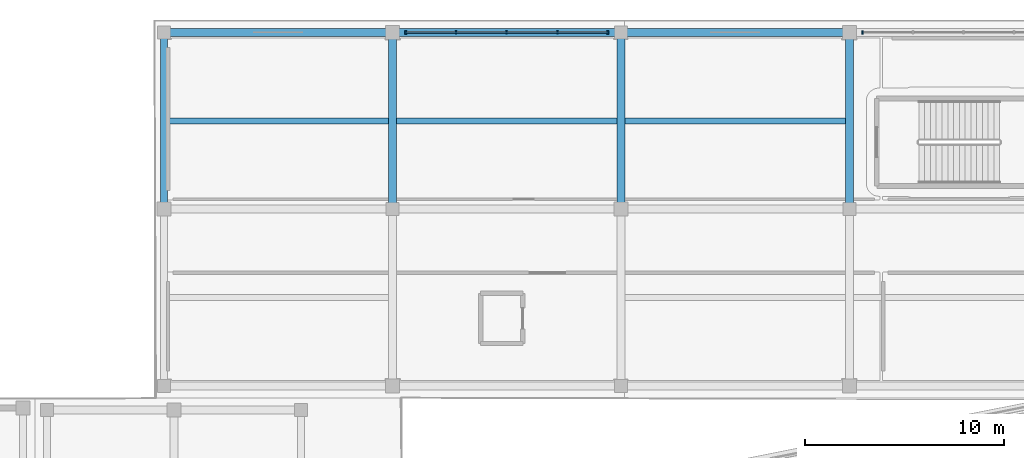
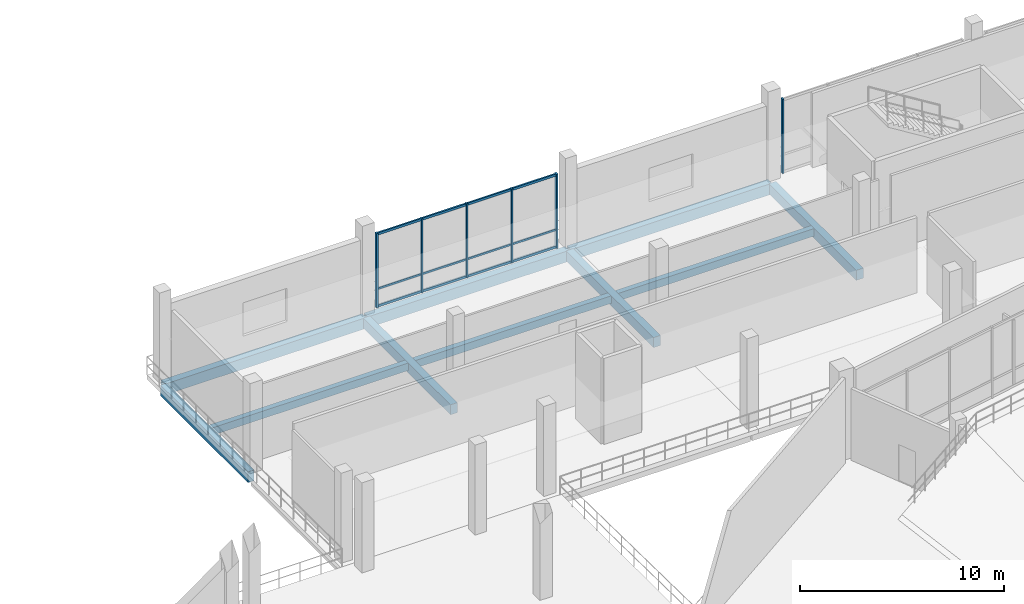
# One storey, part 49 of 127: 10 beams, 9 members, 2 elements without a shape of their own.
"""IFC4 building model written with IfcOpenShell, lengths in metres."""

import ifcopenshell
import ifcopenshell.guid

model = None  # the IFC model being written
_history = None  # IfcOwnerHistory: only IFC2X3 demands one
_inside = {}  # id of a spatial element -> (the spatial element, [elements in it])
_under = {}  # id of a project, library or spatial element -> (it, [spatial elements below it])
_declared = {}  # id of a project -> (the project, [libraries it declares])
_typed = {}  # id of a type object -> (the type object, [elements of that type])
_made_of = {}  # id of a material, layer set ... -> (it, [elements and type objects made of it])


def new_model(schema):
    """Start an empty IFC model of exactly this schema.

    Asked for "IFC4X3", IfcOpenShell would pick the latest addendum, in which some entities
    have other attributes; the version numbers below select the first issue.
    IFC2X3 requires an IfcOwnerHistory on every rooted entity: one is made here for all.
    """
    global model, _history
    if schema == "IFC4X3":
        model = ifcopenshell.file(schema_version=(4, 3, 0, 0))
    else:
        model = ifcopenshell.file(schema=schema)
    _inside.clear()
    _under.clear()
    _declared.clear()
    _typed.clear()
    _made_of.clear()
    _history = None
    if model.schema == "IFC2X3":
        org = make("IfcOrganization", Name="unknown")
        user = make(
            "IfcPersonAndOrganization",
            ThePerson=make("IfcPerson", FamilyName="unknown"),
            TheOrganization=org,
        )
        app = make(
            "IfcApplication",
            ApplicationDeveloper=org,
            Version="unknown",
            ApplicationFullName="unknown",
            ApplicationIdentifier="unknown",
        )
        _history = make(
            "IfcOwnerHistory",
            OwningUser=user,
            OwningApplication=app,
            ChangeAction="ADDED",
            CreationDate=0,
        )
    return model


def make(cls, **values):
    """One entity of the class cls with the attributes given. An attribute that is None is left unset."""
    return model.create_entity(
        cls, **{name: value for name, value in values.items() if value is not None}
    )


def rooted(cls, **values):
    """An entity with a GlobalId (a new one), such as an element, a storey or a relation."""
    return make(cls, GlobalId=ifcopenshell.guid.new(), OwnerHistory=_history, **values)


def si_unit(unit_type, name, prefix=None):
    """IfcSIUnit, for example si_unit("LENGTHUNIT", "METRE", prefix="MILLI")."""
    return make("IfcSIUnit", UnitType=unit_type, Prefix=prefix, Name=name)


def assignment(units):
    """IfcUnitAssignment: the units of a project."""
    return None if units is None else make("IfcUnitAssignment", Units=units)


def point(xyz):
    """IfcCartesianPoint."""
    return None if xyz is None else make("IfcCartesianPoint", Coordinates=xyz)


def direction(xyz):
    """IfcDirection."""
    return None if xyz is None else make("IfcDirection", DirectionRatios=xyz)


def frame(location, z_axis=None, x_axis=None):
    """IfcAxis2Placement3D, a coordinate frame: its origin and axes. An axis left out is left unset."""
    return make(
        "IfcAxis2Placement3D",
        Location=point(location),
        Axis=direction(z_axis),
        RefDirection=direction(x_axis),
    )


def frame_2d(location, x_axis=None):
    """IfcAxis2Placement2D, a coordinate frame in the plane: its origin and x axis."""
    return make(
        "IfcAxis2Placement2D", Location=point(location), RefDirection=direction(x_axis)
    )


def origin():
    """The frame at (0, 0, 0) with its axes left unset."""
    return frame((0.0, 0.0, 0.0))


def origin_2d():
    """The frame at (0, 0) in the plane with its x axis left unset."""
    return frame_2d((0.0, 0.0))


def place(relative_to, where):
    """IfcLocalPlacement: puts the frame where relative to a parent placement (None: the world)."""
    return make(
        "IfcLocalPlacement", PlacementRelTo=relative_to, RelativePlacement=where
    )


def context(
    kind, dimensions, precision=None, world=None, true_north=None, identifier=None
):
    """IfcGeometricRepresentationContext, for example the 3D "Model" context."""
    return make(
        "IfcGeometricRepresentationContext",
        ContextIdentifier=identifier,
        ContextType=kind,
        CoordinateSpaceDimension=dimensions,
        Precision=precision,
        WorldCoordinateSystem=world,
        TrueNorth=true_north,
    )


def subcontext(parent, identifier, kind, view, scale=None):
    """IfcGeometricRepresentationSubContext, for example "Body" below "Model"."""
    return make(
        "IfcGeometricRepresentationSubContext",
        ContextIdentifier=identifier,
        ContextType=kind,
        ParentContext=parent,
        TargetScale=scale,
        TargetView=view,
    )


def project(units=None, contexts=None):
    """IfcProject with its units and contexts."""
    return rooted(
        "IfcProject",
        Name="project",
        RepresentationContexts=contexts,
        UnitsInContext=assignment(units),
    )


def spatial(cls, under=None, at=None, **own):
    """A site, building, storey or space (cls), placed at a placement, below another one or the project."""
    s = rooted(cls, ObjectPlacement=at, **own)
    if under is not None:
        _under.setdefault(under.id(), (under, []))[1].append(s)
    return s


def profile(cls, at=None, kind="AREA", **sizes):
    """A parametric profile (cls). Its sizes go by their IFC names, for example OverallWidth=200.0."""
    return make(cls, ProfileType=kind, Position=at, **sizes)


def rectangle(**sizes):
    """IfcRectangleProfileDef."""
    return profile("IfcRectangleProfileDef", **sizes)


def extrude(swept, where, along, depth):
    """IfcExtrudedAreaSolid: the profile swept, set in the frame where, extruded along a direction by depth."""
    return make(
        "IfcExtrudedAreaSolid",
        SweptArea=swept,
        Position=where,
        ExtrudedDirection=direction(along),
        Depth=depth,
    )


def shape(context_of_items, identifier, shape_type, items):
    """IfcShapeRepresentation: the items that make up one representation, for example the "Body"."""
    return make(
        "IfcShapeRepresentation",
        ContextOfItems=context_of_items,
        RepresentationIdentifier=identifier,
        RepresentationType=shape_type,
        Items=items,
    )


def material(Name=None, Category=None):
    """IfcMaterial."""
    return make("IfcMaterial", Name=Name, Category=Category)


def material_profile(
    of_material, cross_section, Name=None, Category=None, Priority=None
):
    """IfcMaterialProfile: a cross section and its material."""
    return make(
        "IfcMaterialProfile",
        Name=Name,
        Material=of_material,
        Profile=cross_section,
        Priority=Priority,
        Category=Category,
    )


def profile_set(profiles, Name=None, composite=None):
    """IfcMaterialProfileSet."""
    return make(
        "IfcMaterialProfileSet",
        Name=Name,
        MaterialProfiles=profiles,
        CompositeProfile=composite,
    )


def made_of(thing, what):
    """Note that an element or type object is made of a material, layer set ...; save() writes the relation."""
    if what is not None:
        _made_of.setdefault(what.id(), (what, []))[1].append(thing)
    return thing


def type_object(cls, material=None, **own):
    """A type object (cls), such as IfcWallType, which elements share."""
    return made_of(rooted(cls, **own), material)


def element(
    cls,
    number,
    at=None,
    inside=None,
    cuts=None,
    type_object=None,
    material=None,
    context=None,
    identifier="Body",
    shape_type=None,
    held_by="IfcProductDefinitionShape",
    body=None,
    shapes=None,
    **own,
):
    """One element of the class cls, such as IfcWall. Its Tag is "e" and its number.

    at: its placement. inside: the storey or other place that contains it. cuts: it is an
    opening in that element (IfcRelVoidsElement). A single representation is given by context,
    identifier, shape_type and body (its items); several are given by shapes. held_by: the class
    of the entity that holds the representations. save() writes the other relations.
    """
    e = rooted(cls, Tag="e%d" % number, ObjectPlacement=at, **own)
    if body is not None:
        shapes = [shape(context, identifier, shape_type, body)]
    if shapes is not None:
        e.Representation = make(held_by, Representations=shapes)
    if inside is not None:
        _inside.setdefault(inside.id(), (inside, []))[1].append(e)
    if cuts is not None:
        rooted(
            "IfcRelVoidsElement", RelatingBuildingElement=cuts, RelatedOpeningElement=e
        )
    if type_object is not None:
        _typed.setdefault(type_object.id(), (type_object, []))[1].append(e)
    return made_of(e, material)


def aggregate(whole, parts):
    """IfcRelAggregates: a whole, such as a stair, and the parts it consists of."""
    return rooted("IfcRelAggregates", RelatingObject=whole, RelatedObjects=parts)


def save(model, path):
    """Write the relations noted so far, then the file.

    IfcRelAggregates (storeys below a building ...), IfcRelContainedInSpatialStructure (elements
    in a storey), IfcRelDefinesByType, IfcRelAssociatesMaterial and IfcRelDeclares: one each for
    every whole, place, type object, material and project.
    """
    for whole, parts in _under.values():
        aggregate(whole, parts)
    for where, things in _inside.values():
        rooted(
            "IfcRelContainedInSpatialStructure",
            RelatedElements=things,
            RelatingStructure=where,
        )
    for kind, things in _typed.values():
        rooted("IfcRelDefinesByType", RelatedObjects=things, RelatingType=kind)
    for what, things in _made_of.values():
        rooted("IfcRelAssociatesMaterial", RelatedObjects=things, RelatingMaterial=what)
    for by, libraries in _declared.values():
        rooted("IfcRelDeclares", RelatingContext=by, RelatedDefinitions=libraries)
    model.write(path)


model = new_model("IFC4")

# Units and contexts
model_context = context("Model", 3, precision=1e-05, world=origin(), true_north=direction((0.0, 1.0)))
body_context = subcontext(model_context, "Body", "Model", "MODEL_VIEW")
ifc_project = project(units=[si_unit("LENGTHUNIT", "METRE"), si_unit("AREAUNIT", "SQUARE_METRE"), si_unit("VOLUMEUNIT", "CUBIC_METRE"), si_unit("PLANEANGLEUNIT", "RADIAN"), si_unit("MASSUNIT", "GRAM", prefix="KILO")], contexts=[model_context])

# Site, building, storey
site_placement = place(None, origin())
site = spatial("IfcSite", under=ifc_project, at=site_placement, CompositionType="ELEMENT")
building_placement = place(site_placement, origin())
building = spatial("IfcBuilding", under=site, at=building_placement, Name="Candeia Ridge Stadium", CompositionType="ELEMENT")
storey_placement = place(building_placement, frame((0.0, 0.0, 10.800048828125)))
storey = spatial("IfcBuildingStorey", under=building, at=storey_placement, Name="L02", CompositionType="ELEMENT", Elevation=10.800048828125)

# Curtain wall, members
ifc_material_1 = material(Name="Aluminium Anodized Warm Bronze", Category="aluminium")
curtain_wall_type = type_object("IfcCurtainWallType", Name="Museum & Boulevard Showcase Curtain Wall", PredefinedType="NOTDEFINED", material=ifc_material_1)
curtain_wall_1_placement = place(storey_placement, origin())
curtain_wall_1 = element("IfcCurtainWall", 1, at=curtain_wall_1_placement, inside=storey, type_object=curtain_wall_type, Name="Unitised curtain wall CW-WNG-L02-149", PredefinedType="NOTDEFINED")
ifc_material_profile_1 = material_profile(ifc_material_1, rectangle(XDim=0.090087890625, YDim=0.179931640625, at=origin_2d()), Name="CWM-90x180", Category="aluminium")
ifc_profile_set_1 = profile_set([ifc_material_profile_1], Name="Aluminium Anodized Warm Bronze")
member_type_1 = type_object("IfcMemberType", Name="Curtain Wall Primary Mullion 90x180", PredefinedType="MULLION", material=ifc_profile_set_1)
member_1_placement = place(storey_placement, frame((37.659912109375, 165.39990234375, 0.0), z_axis=(0.0, 0.0, 1.0), x_axis=(1.0, 0.0, 0.0)))
member_1 = element("IfcMember", 2, at=member_1_placement, type_object=member_type_1, Name="Curtain wall mullion CW-WNG-L02-149-M0", PredefinedType="MULLION", context=body_context, shape_type="SweptSolid", body=[
    extrude(rectangle(XDim=0.090087890625, YDim=0.179931640625, at=origin_2d()), origin(), (0.0, 0.0, 1.0), 4.454833984375),
])
member_2_placement = place(storey_placement, frame((47.840087890625, 165.39990234375, 0.0), z_axis=(0.0, 0.0, 1.0), x_axis=(1.0, 0.0, 0.0)))
member_2 = element("IfcMember", 3, at=member_2_placement, type_object=member_type_1, Name="Curtain wall mullion CW-WNG-L02-149-M4", PredefinedType="MULLION", context=body_context, shape_type="SweptSolid", body=[
    extrude(rectangle(XDim=0.090087890625, YDim=0.179931640625, at=origin_2d()), origin(), (0.0, 0.0, 1.0), 4.454833984375),
])

# Curtain wall, member
curtain_wall_2_placement = place(storey_placement, origin())
curtain_wall_2 = element("IfcCurtainWall", 4, at=curtain_wall_2_placement, inside=storey, type_object=curtain_wall_type, Name="Unitised curtain wall CW-WNG-L02-150", PredefinedType="NOTDEFINED")
member_3_placement = place(storey_placement, frame((60.659912109375, 165.39990234375, 0.0), z_axis=(0.0, 0.0, 1.0), x_axis=(1.0, 0.0, 0.0)))
member_3 = element("IfcMember", 5, at=member_3_placement, type_object=member_type_1, Name="Curtain wall mullion CW-WNG-L02-150-M0", PredefinedType="MULLION", context=body_context, shape_type="SweptSolid", body=[
    extrude(rectangle(XDim=0.090087890625, YDim=0.179931640625, at=origin_2d()), origin(), (0.0, 0.0, 1.0), 4.454833984375),
])
aggregate(curtain_wall_2, [member_3])

# Member
ifc_material_profile_2 = material_profile(ifc_material_1, rectangle(XDim=0.074951171875, YDim=0.14990234375, at=origin_2d()), Name="CWM-75x150", Category="aluminium")
ifc_profile_set_2 = profile_set([ifc_material_profile_2], Name="Aluminium Anodized Warm Bronze")
member_type_2 = type_object("IfcMemberType", Name="Curtain Wall Secondary Mullion 75x150", PredefinedType="MULLION", material=ifc_profile_set_2)
member_4_placement = place(storey_placement, frame((40.205078125, 165.39990234375, 0.0), z_axis=(0.0, 0.0, 1.0), x_axis=(1.0, 0.0, 0.0)))
member_4 = element("IfcMember", 6, at=member_4_placement, type_object=member_type_2, Name="Curtain wall mullion CW-WNG-L02-149-M1", PredefinedType="MULLION", context=body_context, shape_type="SweptSolid", body=[
    extrude(rectangle(XDim=0.074951171875, YDim=0.14990234375, at=origin_2d()), origin(), (0.0, 0.0, 1.0), 4.454833984375),
])

member_5_placement = place(storey_placement, frame((42.75, 165.39990234375, 0.0), z_axis=(0.0, 0.0, 1.0), x_axis=(1.0, 0.0, 0.0)))
member_5 = element("IfcMember", 7, at=member_5_placement, type_object=member_type_2, Name="Curtain wall mullion CW-WNG-L02-149-M2", PredefinedType="MULLION", context=body_context, shape_type="SweptSolid", body=[
    extrude(rectangle(XDim=0.074951171875, YDim=0.14990234375, at=origin_2d()), origin(), (0.0, 0.0, 1.0), 4.454833984375),
])

member_6_placement = place(storey_placement, frame((45.294921875, 165.39990234375, 0.0), z_axis=(0.0, 0.0, 1.0), x_axis=(1.0, 0.0, 0.0)))
member_6 = element("IfcMember", 8, at=member_6_placement, type_object=member_type_2, Name="Curtain wall mullion CW-WNG-L02-149-M3", PredefinedType="MULLION", context=body_context, shape_type="SweptSolid", body=[
    extrude(rectangle(XDim=0.074951171875, YDim=0.14990234375, at=origin_2d()), origin(), (0.0, 0.0, 1.0), 4.454833984375),
])

ifc_material_profile_3 = material_profile(ifc_material_1, rectangle(XDim=0.074951171875, YDim=0.110107421875, at=origin_2d()), Name="CWT-75x110", Category="aluminium")
ifc_profile_set_3 = profile_set([ifc_material_profile_3], Name="Aluminium Anodized Warm Bronze")
member_type_3 = type_object("IfcMemberType", Name="Curtain Wall Secondary Transom 75x110", PredefinedType="USERDEFINED", material=ifc_profile_set_3)
member_7_placement = place(storey_placement, frame((37.659912109375, 165.39990234375, 1.099853515625), z_axis=(1.0, 0.0, 0.0), x_axis=(0.0, 1.0, 0.0)))
member_7 = element("IfcMember", 9, at=member_7_placement, type_object=member_type_3, Name="Curtain wall transom CW-WNG-L02-149-T1", ObjectType="TRANSOM", PredefinedType="USERDEFINED", context=body_context, shape_type="SweptSolid", body=[
    extrude(rectangle(XDim=0.074951171875, YDim=0.110107421875, at=origin_2d()), origin(), (0.0, 0.0, 1.0), 10.18017578125),
])

ifc_material_profile_4 = material_profile(ifc_material_1, rectangle(XDim=0.090087890625, YDim=0.139892578125, at=origin_2d()), Name="CWT-90x140", Category="aluminium")
ifc_profile_set_4 = profile_set([ifc_material_profile_4], Name="Aluminium Anodized Warm Bronze")
member_type_4 = type_object("IfcMemberType", Name="Curtain Wall Transom 90x140", PredefinedType="USERDEFINED", material=ifc_profile_set_4)
member_8_placement = place(storey_placement, frame((37.659912109375, 165.39990234375, 0.070068359375), z_axis=(1.0, 0.0, 0.0), x_axis=(0.0, 1.0, 0.0)))
member_8 = element("IfcMember", 10, at=member_8_placement, type_object=member_type_4, Name="Curtain wall transom CW-WNG-L02-149-T0", ObjectType="TRANSOM", PredefinedType="USERDEFINED", context=body_context, shape_type="SweptSolid", body=[
    extrude(rectangle(XDim=0.090087890625, YDim=0.139892578125, at=origin_2d()), origin(), (0.0, 0.0, 1.0), 10.18017578125),
])

member_9_placement = place(storey_placement, frame((37.659912109375, 165.39990234375, 4.385009765625), z_axis=(1.0, 0.0, 0.0), x_axis=(0.0, 1.0, 0.0)))
member_9 = element("IfcMember", 11, at=member_9_placement, type_object=member_type_4, Name="Curtain wall transom CW-WNG-L02-149-T2", ObjectType="TRANSOM", PredefinedType="USERDEFINED", context=body_context, shape_type="SweptSolid", body=[
    extrude(rectangle(XDim=0.090087890625, YDim=0.139892578125, at=origin_2d()), origin(), (0.0, 0.0, 1.0), 10.18017578125),
])

aggregate(curtain_wall_1, [member_1, member_4, member_5, member_6, member_2, member_8, member_7, member_9])

# Beams
ifc_material_2 = material(Name="Concrete C40/50", Category="concrete")
ifc_material_profile_5 = material_profile(ifc_material_2, rectangle(XDim=0.300048828125, YDim=0.449951171875, at=origin_2d()), Name="RC300x450", Category="concrete")
ifc_profile_set_5 = profile_set([ifc_material_profile_5], Name="Concrete C40/50")
beam_type_1 = type_object("IfcBeamType", Name="Floor Joist RC300x450", PredefinedType="JOIST", material=ifc_profile_set_5)
beam_1_placement = place(storey_placement, frame((25.674560546875, 160.949951171875, -0.485107421875), z_axis=(1.0, 0.0, 0.0), x_axis=(0.0, 1.0, 0.0)))
element("IfcBeam", 12, at=beam_1_placement, inside=storey, type_object=beam_type_1, Name="Wing secondary joist BM-L02-1707", PredefinedType="JOIST", context=body_context, shape_type="SweptSolid", body=[
    extrude(rectangle(XDim=0.300048828125, YDim=0.449951171875, at=origin_2d()), origin(), (0.0, 0.0, 1.0), 11.1259765625),
])
for number, where, z_axis, x_axis, name in (
    (13, (37.199462890625, 160.949951171875, -0.485107421875), (1.0, 0.0, 0.0), (0.0, 1.0, 0.0), "Wing secondary joist BM-L02-1711"),
    (14, (48.699462890625, 160.949951171875, -0.485107421875), (1.0, 0.0, 0.0), (0.0, 1.0, 0.0), "Wing secondary joist BM-L02-1716"),
):
    element("IfcBeam", number, at=place(storey_placement, frame(where, z_axis=z_axis, x_axis=x_axis)), inside=storey, type_object=beam_type_1, Name=name, PredefinedType="JOIST", context=body_context, shape_type="SweptSolid", body=[
        extrude(rectangle(XDim=0.300048828125, YDim=0.449951171875, at=origin_2d()), origin(), (0.0, 0.0, 1.0), 11.10107421875),
    ])
ifc_material_profile_6 = material_profile(ifc_material_2, rectangle(XDim=0.39990234375, YDim=0.60009765625, at=origin_2d()), Name="RC400x600", Category="concrete")
ifc_profile_set_6 = profile_set([ifc_material_profile_6], Name="Concrete C40/50")
beam_type_2 = type_object("IfcBeamType", Name="Frame Girder RC400x600", PredefinedType="BEAM", material=ifc_profile_set_6)
for number, where, z_axis, x_axis, name in (
    (15, (37.0, 156.659912109375, -0.56005859375), (0.0, 1.0, 0.0), (-1.0, 0.0, 0.0), "Structural girder BM-L02-1693"),
    (16, (48.5, 156.659912109375, -0.56005859375), (0.0, 1.0, 0.0), (-1.0, 0.0, 0.0), "Structural girder BM-L02-1695"),
    (17, (60.0, 156.659912109375, -0.56005859375), (0.0, 1.0, 0.0), (-1.0, 0.0, 0.0), "Structural girder BM-L02-1697"),
):
    element("IfcBeam", number, at=place(storey_placement, frame(where, z_axis=z_axis, x_axis=x_axis)), inside=storey, type_object=beam_type_2, Name=name, PredefinedType="BEAM", context=body_context, shape_type="SweptSolid", body=[
        extrude(rectangle(XDim=0.39990234375, YDim=0.60009765625, at=origin_2d()), origin(), (0.0, 0.0, 1.0), 8.580078125),
    ])
ifc_material_profile_7 = material_profile(ifc_material_2, rectangle(XDim=0.35009765625, YDim=0.64990234375, at=origin_2d()), Name="RC350x650", Category="concrete")
ifc_profile_set_7 = profile_set([ifc_material_profile_7], Name="Concrete C40/50")
beam_type_3 = type_object("IfcBeamType", Name="Spandrel Beam RC350x650", PredefinedType="SPANDREL", material=ifc_profile_set_7)
beam_2_placement = place(storey_placement, frame((25.5, 156.659912109375, -0.5849609375), z_axis=(0.0, 1.0, 0.0), x_axis=(-1.0, 0.0, 0.0)))
element("IfcBeam", 18, at=beam_2_placement, inside=storey, type_object=beam_type_3, Name="Structural girder BM-L02-1691", PredefinedType="SPANDREL", context=body_context, shape_type="SweptSolid", body=[
    extrude(rectangle(XDim=0.35009765625, YDim=0.64990234375, at=origin_2d()), origin(), (0.0, 0.0, 1.0), 8.580078125),
])
ifc_material_profile_8 = material_profile(ifc_material_2, rectangle(XDim=0.39990234375, YDim=0.64990234375, at=origin_2d()), Name="RC400x650", Category="concrete")
ifc_profile_set_8 = profile_set([ifc_material_profile_8], Name="Concrete C40/50")
beam_type_4 = type_object("IfcBeamType", Name="Wing Primary Girder RC400x650", PredefinedType="BEAM", material=ifc_profile_set_8)
for number, where, z_axis, x_axis, name in (
    (19, (25.550048828125, 165.39990234375, -0.5849609375), (1.0, 0.0, 0.0), (0.0, 1.0, 0.0), "Structural girder BM-L02-1708"),
    (20, (37.050048828125, 165.39990234375, -0.5849609375), (1.0, 0.0, 0.0), (0.0, 1.0, 0.0), "Structural girder BM-L02-1712"),
    (21, (48.550048828125, 165.39990234375, -0.5849609375), (1.0, 0.0, 0.0), (0.0, 1.0, 0.0), "Structural girder BM-L02-1717"),
):
    element("IfcBeam", number, at=place(storey_placement, frame(where, z_axis=z_axis, x_axis=x_axis)), inside=storey, type_object=beam_type_4, Name=name, PredefinedType="BEAM", context=body_context, shape_type="SweptSolid", body=[
        extrude(rectangle(XDim=0.39990234375, YDim=0.64990234375, at=origin_2d()), origin(), (0.0, 0.0, 1.0), 11.39990234375),
    ])

save(model, "model.ifc")
